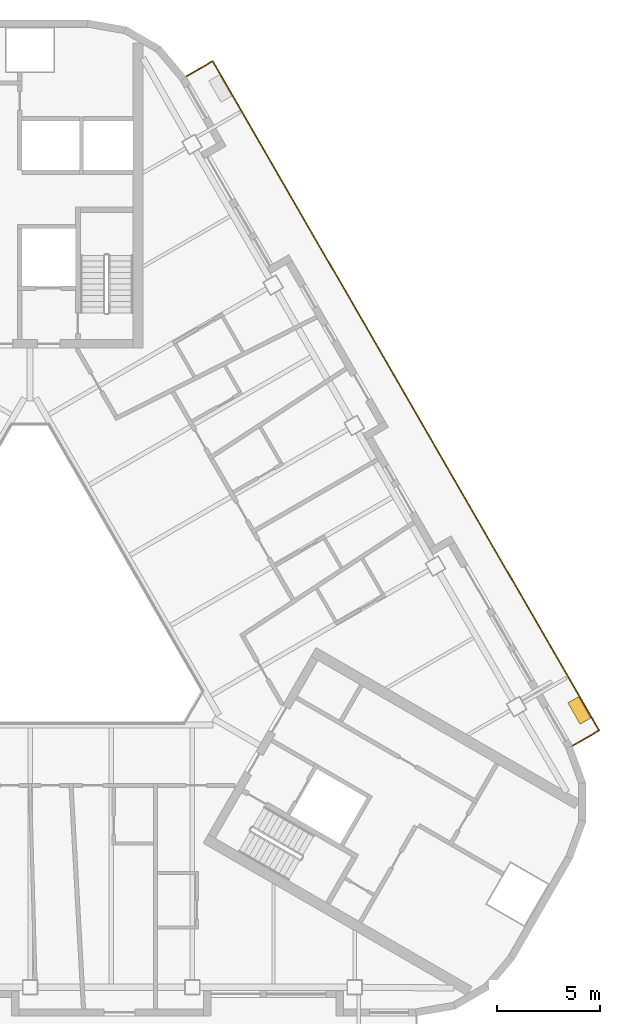
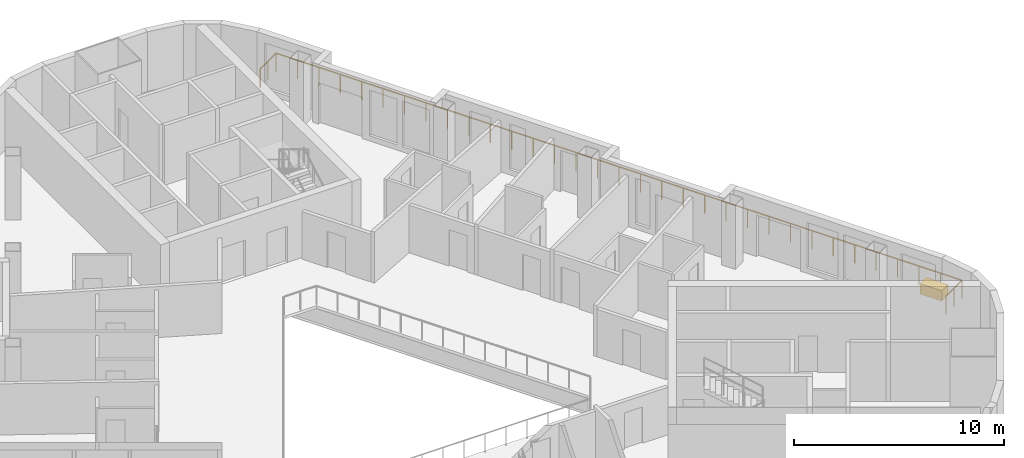
# One storey, part 13 of 14: 1 covering, 1 railing.
"""IFC4 building model written with IfcOpenShell, lengths in metres."""

from ifc_helpers import new_model, si_unit, direction, frame, origin, origin_2d, place, context, subcontext, project, spatial, rectangle, extrude, material, type_object, element, save


model = new_model("IFC4")

# Units and contexts
model_context = context("Model", 3, precision=1e-05, world=origin(), true_north=direction((0.0, 1.0)))
body_context = subcontext(model_context, "Body", "Model", "MODEL_VIEW")
ifc_project = project(units=[si_unit("LENGTHUNIT", "METRE"), si_unit("AREAUNIT", "SQUARE_METRE"), si_unit("VOLUMEUNIT", "CUBIC_METRE"), si_unit("PLANEANGLEUNIT", "RADIAN"), si_unit("MASSUNIT", "GRAM", prefix="KILO")], contexts=[model_context])

# Site, building, storey
site_placement = place(None, origin())
site = spatial("IfcSite", under=ifc_project, at=site_placement, CompositionType="ELEMENT")
building_placement = place(site_placement, origin())
building = spatial("IfcBuilding", under=site, at=building_placement, Name="Apuvela Tower Hotel", CompositionType="ELEMENT")
storey_placement = place(building_placement, frame((0.0, 0.0, 228.0)))
storey = spatial("IfcBuildingStorey", under=building, at=storey_placement, Name="L56", CompositionType="ELEMENT", Elevation=228.0)

# Railing
ifc_material_1 = material(Name="Stainless steel 316 rail with laminated glass infill", Category="steel")
railing_type = type_object("IfcRailingType", Name="ENV-GUARD-1100", PredefinedType="GUARDRAIL", material=ifc_material_1)
railing_placement = place(storey_placement, frame((26.407958984375, -6.47998046875, 0.0)))
element("IfcRailing", 1, at=railing_placement, inside=storey, type_object=railing_type, Name="Balcony guard NE L56", PredefinedType="GUARDRAIL", context=body_context, shape_type="SweptSolid", body=[
    extrude(rectangle(XDim=0.050048828125, YDim=0.050048828125, at=origin_2d()), frame((0.0, 0.0, 1.0751953125), z_axis=(0.866031096941, 0.499990139034, 0.0), x_axis=(-0.499990139034, 0.866031096941, 0.0)), (0.0, 0.0, 1.0), 1.5),
    extrude(rectangle(XDim=0.050048828125, YDim=0.050048828125, at=origin_2d()), frame((1.299072265625, 0.75, 1.0751953125), z_axis=(-0.500000437506, 0.86602515119, 0.0), x_axis=(-0.86602515119, -0.500000437506, 0.0)), (0.0, 0.0, 1.0), 37.6318359375),
    extrude(rectangle(XDim=0.050048828125, YDim=0.050048828125, at=origin_2d()), frame((-17.516845703125, 33.340087890625, 1.0751953125), z_axis=(-0.86599040064, -0.500060622324, 0.0), x_axis=(0.500060622324, -0.86599040064, 0.0)), (0.0, 0.0, 1.0), 1.499755859375),
    extrude(rectangle(XDim=0.0400390625, YDim=0.0400390625, at=origin_2d()), origin(), (0.0, 0.0, 1.0), 1.050048828125),
    extrude(rectangle(XDim=0.0400390625, YDim=0.0400390625, at=origin_2d()), frame((0.6494140625, 0.375, 0.0)), (0.0, 0.0, 1.0), 1.050048828125),
    extrude(rectangle(XDim=0.0400390625, YDim=0.0400390625, at=origin_2d()), frame((1.299072265625, 0.75, 0.0)), (0.0, 0.0, 1.0), 1.050048828125),
    extrude(rectangle(XDim=0.0400390625, YDim=0.0400390625, at=origin_2d()), frame((0.711181640625, 1.7685546875, 0.0)), (0.0, 0.0, 1.0), 1.050048828125),
    extrude(rectangle(XDim=0.0400390625, YDim=0.0400390625, at=origin_2d()), frame((0.123046875, 2.786865234375, 0.0)), (0.0, 0.0, 1.0), 1.050048828125),
    extrude(rectangle(XDim=0.0400390625, YDim=0.0400390625, at=origin_2d()), frame((-0.46484375, 3.805419921875, 0.0)), (0.0, 0.0, 1.0), 1.050048828125),
    extrude(rectangle(XDim=0.0400390625, YDim=0.0400390625, at=origin_2d()), frame((-1.052978515625, 4.82373046875, 0.0)), (0.0, 0.0, 1.0), 1.050048828125),
    extrude(rectangle(XDim=0.0400390625, YDim=0.0400390625, at=origin_2d()), frame((-1.640869140625, 5.84228515625, 0.0)), (0.0, 0.0, 1.0), 1.050048828125),
    extrude(rectangle(XDim=0.0400390625, YDim=0.0400390625, at=origin_2d()), frame((-2.22900390625, 6.860595703125, 0.0)), (0.0, 0.0, 1.0), 1.050048828125),
    extrude(rectangle(XDim=0.0400390625, YDim=0.0400390625, at=origin_2d()), frame((-2.81689453125, 7.879150390625, 0.0)), (0.0, 0.0, 1.0), 1.050048828125),
    extrude(rectangle(XDim=0.0400390625, YDim=0.0400390625, at=origin_2d()), frame((-3.40478515625, 8.8974609375, 0.0)), (0.0, 0.0, 1.0), 1.050048828125),
    extrude(rectangle(XDim=0.0400390625, YDim=0.0400390625, at=origin_2d()), frame((-3.992919921875, 9.916015625, 0.0)), (0.0, 0.0, 1.0), 1.050048828125),
    extrude(rectangle(XDim=0.0400390625, YDim=0.0400390625, at=origin_2d()), frame((-4.580810546875, 10.934326171875, 0.0)), (0.0, 0.0, 1.0), 1.050048828125),
    extrude(rectangle(XDim=0.0400390625, YDim=0.0400390625, at=origin_2d()), frame((-5.1689453125, 11.952880859375, 0.0)), (0.0, 0.0, 1.0), 1.050048828125),
    extrude(rectangle(XDim=0.0400390625, YDim=0.0400390625, at=origin_2d()), frame((-5.7568359375, 12.97119140625, 0.0)), (0.0, 0.0, 1.0), 1.050048828125),
    extrude(rectangle(XDim=0.0400390625, YDim=0.0400390625, at=origin_2d()), frame((-6.344970703125, 13.98974609375, 0.0)), (0.0, 0.0, 1.0), 1.050048828125),
    extrude(rectangle(XDim=0.0400390625, YDim=0.0400390625, at=origin_2d()), frame((-6.932861328125, 15.008056640625, 0.0)), (0.0, 0.0, 1.0), 1.050048828125),
    extrude(rectangle(XDim=0.0400390625, YDim=0.0400390625, at=origin_2d()), frame((-7.52099609375, 16.026611328125, 0.0)), (0.0, 0.0, 1.0), 1.050048828125),
    extrude(rectangle(XDim=0.0400390625, YDim=0.0400390625, at=origin_2d()), frame((-8.10888671875, 17.044921875, 0.0)), (0.0, 0.0, 1.0), 1.050048828125),
    extrude(rectangle(XDim=0.0400390625, YDim=0.0400390625, at=origin_2d()), frame((-8.69677734375, 18.0634765625, 0.0)), (0.0, 0.0, 1.0), 1.050048828125),
    extrude(rectangle(XDim=0.0400390625, YDim=0.0400390625, at=origin_2d()), frame((-9.284912109375, 19.08203125, 0.0)), (0.0, 0.0, 1.0), 1.050048828125),
    extrude(rectangle(XDim=0.0400390625, YDim=0.0400390625, at=origin_2d()), frame((-9.872802734375, 20.100341796875, 0.0)), (0.0, 0.0, 1.0), 1.050048828125),
    extrude(rectangle(XDim=0.0400390625, YDim=0.0400390625, at=origin_2d()), frame((-10.4609375, 21.118896484375, 0.0)), (0.0, 0.0, 1.0), 1.050048828125),
    extrude(rectangle(XDim=0.0400390625, YDim=0.0400390625, at=origin_2d()), frame((-11.048828125, 22.13720703125, 0.0)), (0.0, 0.0, 1.0), 1.050048828125),
    extrude(rectangle(XDim=0.0400390625, YDim=0.0400390625, at=origin_2d()), frame((-11.636962890625, 23.15576171875, 0.0)), (0.0, 0.0, 1.0), 1.050048828125),
    extrude(rectangle(XDim=0.0400390625, YDim=0.0400390625, at=origin_2d()), frame((-12.224853515625, 24.174072265625, 0.0)), (0.0, 0.0, 1.0), 1.050048828125),
    extrude(rectangle(XDim=0.0400390625, YDim=0.0400390625, at=origin_2d()), frame((-12.81298828125, 25.192626953125, 0.0)), (0.0, 0.0, 1.0), 1.050048828125),
    extrude(rectangle(XDim=0.0400390625, YDim=0.0400390625, at=origin_2d()), frame((-13.40087890625, 26.2109375, 0.0)), (0.0, 0.0, 1.0), 1.050048828125),
    extrude(rectangle(XDim=0.0400390625, YDim=0.0400390625, at=origin_2d()), frame((-13.98876953125, 27.2294921875, 0.0)), (0.0, 0.0, 1.0), 1.050048828125),
    extrude(rectangle(XDim=0.0400390625, YDim=0.0400390625, at=origin_2d()), frame((-14.576904296875, 28.247802734375, 0.0)), (0.0, 0.0, 1.0), 1.050048828125),
    extrude(rectangle(XDim=0.0400390625, YDim=0.0400390625, at=origin_2d()), frame((-15.164794921875, 29.266357421875, 0.0)), (0.0, 0.0, 1.0), 1.050048828125),
    extrude(rectangle(XDim=0.0400390625, YDim=0.0400390625, at=origin_2d()), frame((-15.7529296875, 30.28466796875, 0.0)), (0.0, 0.0, 1.0), 1.050048828125),
    extrude(rectangle(XDim=0.0400390625, YDim=0.0400390625, at=origin_2d()), frame((-16.3408203125, 31.30322265625, 0.0)), (0.0, 0.0, 1.0), 1.050048828125),
    extrude(rectangle(XDim=0.0400390625, YDim=0.0400390625, at=origin_2d()), frame((-16.928955078125, 32.321533203125, 0.0)), (0.0, 0.0, 1.0), 1.050048828125),
    extrude(rectangle(XDim=0.0400390625, YDim=0.0400390625, at=origin_2d()), frame((-17.516845703125, 33.340087890625, 0.0)), (0.0, 0.0, 1.0), 1.050048828125),
    extrude(rectangle(XDim=0.0400390625, YDim=0.0400390625, at=origin_2d()), frame((-18.166259765625, 32.965087890625, 0.0)), (0.0, 0.0, 1.0), 1.050048828125),
    extrude(rectangle(XDim=0.0400390625, YDim=0.0400390625, at=origin_2d()), frame((-18.815673828125, 32.590087890625, 0.0)), (0.0, 0.0, 1.0), 1.050048828125),
])

# Covering
ifc_material_2 = material(Name="Planting substrate and soil, planted")
covering_type = type_object("IfcCoveringType", Name="ENV-PLANTER-1200x600", PredefinedType="USERDEFINED", material=ifc_material_2)
covering_placement = place(storey_placement, frame((26.739013671875, -4.753173828125, 0.0), z_axis=(0.0, 0.0, 1.0), x_axis=(-0.5, 0.866025403784, 0.0)))
element("IfcCovering", 2, at=covering_placement, inside=storey, type_object=covering_type, Name="Planter NE2", ObjectType="PLANTER", PredefinedType="USERDEFINED", context=body_context, shape_type="SweptSolid", body=[
    extrude(rectangle(XDim=1.199951171875, YDim=0.60009765625, at=origin_2d()), origin(), (0.0, 0.0, 1.0), 0.60009765625),
])

save(model, "model.ifc")
